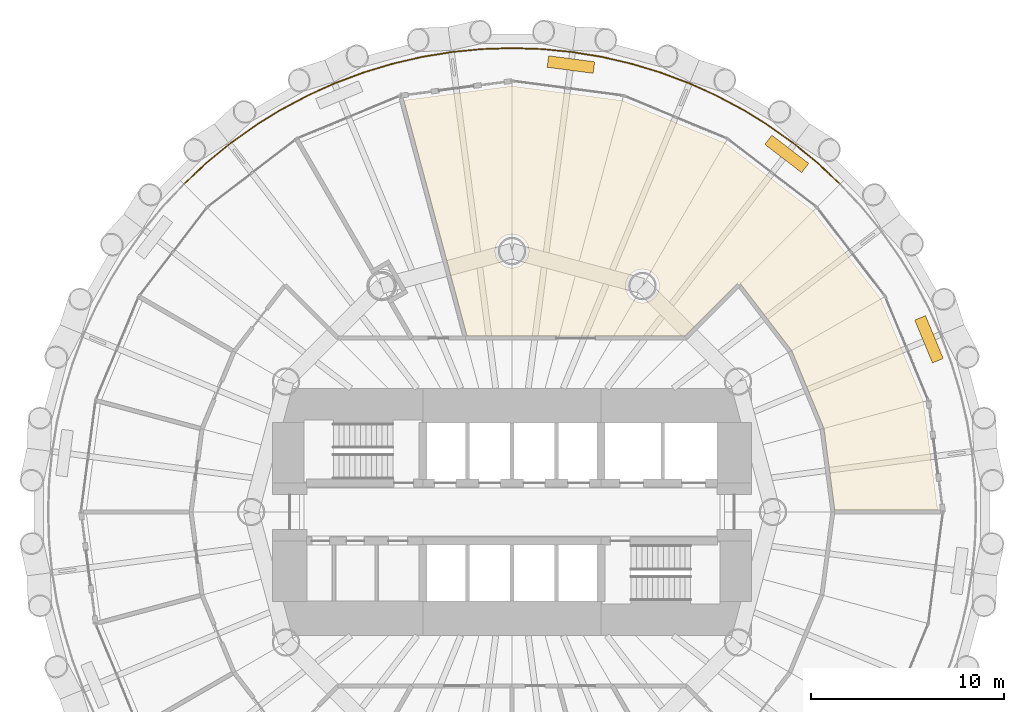
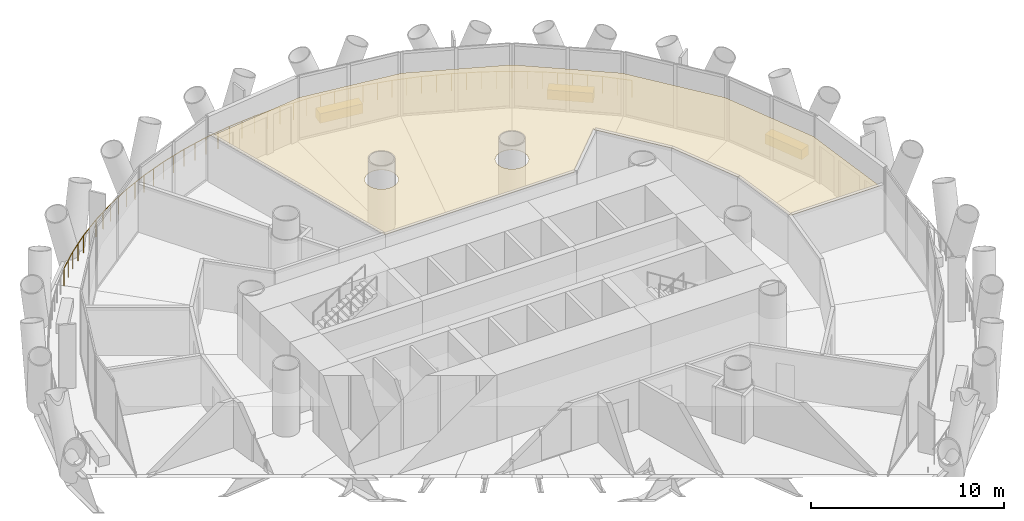
# One storey, part 15 of 15: 4 coverings, 1 railing.
"""IFC4 building model written with IfcOpenShell, lengths in metres."""

from ifc_helpers import new_model, si_unit, direction, frame, origin, origin_2d, place, context, subcontext, project, spatial, polyline, rectangle, circle, outline, extrude, material, layer, layer_set, type_object, element, save


model = new_model("IFC4")

# Units and contexts
model_context = context("Model", 3, precision=1e-05, world=origin(), true_north=direction((0.0, 1.0)))
body_context = subcontext(model_context, "Body", "Model", "MODEL_VIEW")
ifc_project = project(units=[si_unit("LENGTHUNIT", "METRE"), si_unit("AREAUNIT", "SQUARE_METRE"), si_unit("VOLUMEUNIT", "CUBIC_METRE"), si_unit("PLANEANGLEUNIT", "RADIAN"), si_unit("MASSUNIT", "GRAM", prefix="KILO")], contexts=[model_context])

# Site, building, storey
site_placement = place(None, origin())
site = spatial("IfcSite", under=ifc_project, at=site_placement, CompositionType="ELEMENT")
building_placement = place(site_placement, origin())
building = spatial("IfcBuilding", under=site, at=building_placement, Name="Qaws Media Tower", CompositionType="ELEMENT")
storey_placement = place(building_placement, frame((0.0, 0.0, 51.199951171875)))
storey = spatial("IfcBuildingStorey", under=building, at=storey_placement, Name="L10", CompositionType="ELEMENT", Elevation=51.199951171875)

# Railing
ifc_material_1 = material(Name="Stainless steel and glass guard", Category="steel")
railing_type = type_object("IfcRailingType", Name="Balcony guard 1100", PredefinedType="GUARDRAIL", material=ifc_material_1)
railing_placement = place(storey_placement, frame((76.970458984375, 66.970458984375, 0.0)))
element("IfcRailing", 1, at=railing_placement, inside=storey, type_object=railing_type, Name="GR1 balcony guard L10-1", PredefinedType="GUARDRAIL", context=body_context, shape_type="SweptSolid", body=[
    extrude(circle(Radius=0.02392578125, at=origin_2d()), frame((0.0, 0.0, 1.076171875), z_axis=(-0.729813455053, 0.683646341922, 0.0), x_axis=(-0.683646341922, -0.729813455053, 0.0)), (0.0, 0.0, 1.0), 1.570556640625),
    extrude(circle(Radius=0.02392578125, at=origin_2d()), frame((-1.146240234375, 1.07373046875, 1.076171875), z_axis=(-0.77296584809, 0.63444763195, 0.0), x_axis=(-0.63444763195, -0.77296584809, 0.0)), (0.0, 0.0, 1.0), 1.5703125),
    extrude(circle(Radius=0.02392578125, at=origin_2d()), frame((-2.360107421875, 2.070068359375, 1.076171875), z_axis=(-0.812850247555, 0.582472724726, 0.0), x_axis=(-0.582472724726, -0.812850247555, 0.0)), (0.0, 0.0, 1.0), 1.570556640625),
    extrude(circle(Radius=0.02392578125, at=origin_2d()), frame((-3.63671875, 2.98486328125, 1.076171875), z_axis=(-0.849209967984, 0.528055328802, 0.0), x_axis=(-0.528055328802, -0.849209967984, 0.0)), (0.0, 0.0, 1.0), 1.570556640625),
    extrude(circle(Radius=0.02392578125, at=origin_2d()), frame((-4.970458984375, 3.814208984375, 1.076171875), z_axis=(-0.881939468642, 0.471362677406, 0.0), x_axis=(-0.471362677406, -0.881939468642, 0.0)), (0.0, 0.0, 1.0), 1.5703125),
    extrude(circle(Radius=0.02392578125, at=origin_2d()), frame((-6.35546875, 4.554443359375, 1.076171875), z_axis=(-0.910871506135, 0.412690076585, 0.0), x_axis=(-0.412690076585, -0.910871506135, 0.0)), (0.0, 0.0, 1.0), 1.570556640625),
    extrude(circle(Radius=0.02392578125, at=origin_2d()), frame((-7.7861328125, 5.20263671875, 1.076171875), z_axis=(-0.935894013159, 0.35228169997, 0.0), x_axis=(-0.35228169997, -0.935894013159, 0.0)), (0.0, 0.0, 1.0), 1.5703125),
    extrude(circle(Radius=0.02392578125, at=origin_2d()), frame((-9.255859375, 5.755859375, 1.076171875), z_axis=(-0.956957701155, 0.290227424961, 0.0), x_axis=(-0.290227424961, -0.956957701155, 0.0)), (0.0, 0.0, 1.0), 1.570556640625),
    extrude(circle(Radius=0.02392578125, at=origin_2d()), frame((-10.7587890625, 6.211669921875, 1.076171875), z_axis=(-0.973869866976, 0.227106763871, 0.0), x_axis=(-0.227106763871, -0.973869866976, 0.0)), (0.0, 0.0, 1.0), 1.570556640625),
    extrude(circle(Radius=0.02392578125, at=origin_2d()), frame((-12.288330078125, 6.568359375, 1.076171875), z_axis=(-0.98664068219, 0.162911522757, 0.0), x_axis=(-0.162911522757, -0.98664068219, 0.0)), (0.0, 0.0, 1.0), 1.570556640625),
    extrude(circle(Radius=0.02392578125, at=origin_2d()), frame((-13.837890625, 6.82421875, 1.076171875), z_axis=(-0.995177778889, 0.098087656745, 0.0), x_axis=(-0.098087656745, -0.995177778889, 0.0)), (0.0, 0.0, 1.0), 1.570556640625),
    extrude(circle(Radius=0.02392578125, at=origin_2d()), frame((-15.40087890625, 6.978271484375, 1.076171875), z_axis=(-0.999466942107, 0.03264707697, 0.0), x_axis=(-0.03264707697, -0.999466942107, 0.0)), (0.0, 0.0, 1.0), 1.5703125),
    extrude(circle(Radius=0.02392578125, at=origin_2d()), frame((-16.970458984375, 7.029541015625, 1.076171875), z_axis=(-0.999466942107, -0.03264707697, 0.0), x_axis=(0.03264707697, -0.999466942107, 0.0)), (0.0, 0.0, 1.0), 1.5703125),
    extrude(circle(Radius=0.02392578125, at=origin_2d()), frame((-18.5400390625, 6.978271484375, 1.076171875), z_axis=(-0.995177778889, -0.098087656745, 0.0), x_axis=(0.098087656745, -0.995177778889, 0.0)), (0.0, 0.0, 1.0), 1.570556640625),
    extrude(circle(Radius=0.02392578125, at=origin_2d()), frame((-20.10302734375, 6.82421875, 1.076171875), z_axis=(-0.98664068219, -0.162911522757, 0.0), x_axis=(0.162911522757, -0.98664068219, 0.0)), (0.0, 0.0, 1.0), 1.570556640625),
    extrude(circle(Radius=0.02392578125, at=origin_2d()), frame((-21.652587890625, 6.568359375, 1.076171875), z_axis=(-0.973869866976, -0.227106763871, 0.0), x_axis=(0.227106763871, -0.973869866976, 0.0)), (0.0, 0.0, 1.0), 1.570556640625),
    extrude(circle(Radius=0.02392578125, at=origin_2d()), frame((-23.18212890625, 6.211669921875, 1.076171875), z_axis=(-0.956957701155, -0.290227424961, 0.0), x_axis=(0.290227424961, -0.956957701155, 0.0)), (0.0, 0.0, 1.0), 1.570556640625),
    extrude(circle(Radius=0.02392578125, at=origin_2d()), frame((-24.68505859375, 5.755859375, 1.076171875), z_axis=(-0.935894013159, -0.35228169997, 0.0), x_axis=(0.35228169997, -0.935894013159, 0.0)), (0.0, 0.0, 1.0), 1.5703125),
    extrude(circle(Radius=0.02392578125, at=origin_2d()), frame((-26.15478515625, 5.20263671875, 1.076171875), z_axis=(-0.910871506135, -0.412690076585, 0.0), x_axis=(0.412690076585, -0.910871506135, 0.0)), (0.0, 0.0, 1.0), 1.570556640625),
    extrude(circle(Radius=0.02392578125, at=origin_2d()), frame((-27.58544921875, 4.554443359375, 1.076171875), z_axis=(-0.881939468642, -0.471362677406, 0.0), x_axis=(0.471362677406, -0.881939468642, 0.0)), (0.0, 0.0, 1.0), 1.5703125),
    extrude(circle(Radius=0.02392578125, at=origin_2d()), frame((-28.970458984375, 3.814208984375, 1.076171875), z_axis=(-0.849209967984, -0.528055328802, 0.0), x_axis=(0.528055328802, -0.849209967984, 0.0)), (0.0, 0.0, 1.0), 1.570556640625),
    extrude(circle(Radius=0.02392578125, at=origin_2d()), frame((-30.30419921875, 2.98486328125, 1.076171875), z_axis=(-0.812850247555, -0.582472724726, 0.0), x_axis=(0.582472724726, -0.812850247555, 0.0)), (0.0, 0.0, 1.0), 1.570556640625),
    extrude(circle(Radius=0.02392578125, at=origin_2d()), frame((-31.580810546875, 2.070068359375, 1.076171875), z_axis=(-0.77296584809, -0.63444763195, 0.0), x_axis=(0.63444763195, -0.77296584809, 0.0)), (0.0, 0.0, 1.0), 1.5703125),
    extrude(circle(Radius=0.02392578125, at=origin_2d()), frame((-32.794677734375, 1.07373046875, 1.076171875), z_axis=(-0.729813455053, -0.683646341922, 0.0), x_axis=(0.683646341922, -0.729813455053, 0.0)), (0.0, 0.0, 1.0), 1.570556640625),
    extrude(circle(Radius=0.02099609375, at=origin_2d()), origin(), (0.0, 0.0, 1.0), 1.052001953125),
    extrude(circle(Radius=0.02099609375, at=origin_2d()), frame((-0.5732421875, 0.536865234375, 0.0)), (0.0, 0.0, 1.0), 1.052001953125),
    extrude(circle(Radius=0.02099609375, at=origin_2d()), frame((-1.146240234375, 1.07373046875, 0.0)), (0.0, 0.0, 1.0), 1.052001953125),
    extrude(circle(Radius=0.02099609375, at=origin_2d()), frame((-1.753173828125, 1.57177734375, 0.0)), (0.0, 0.0, 1.0), 1.052001953125),
    extrude(circle(Radius=0.02099609375, at=origin_2d()), frame((-2.360107421875, 2.070068359375, 0.0)), (0.0, 0.0, 1.0), 1.052001953125),
    extrude(circle(Radius=0.02099609375, at=origin_2d()), frame((-2.99853515625, 2.52734375, 0.0)), (0.0, 0.0, 1.0), 1.052001953125),
    extrude(circle(Radius=0.02099609375, at=origin_2d()), frame((-3.63671875, 2.98486328125, 0.0)), (0.0, 0.0, 1.0), 1.052001953125),
    extrude(circle(Radius=0.02099609375, at=origin_2d()), frame((-4.3037109375, 3.3994140625, 0.0)), (0.0, 0.0, 1.0), 1.052001953125),
    extrude(circle(Radius=0.02099609375, at=origin_2d()), frame((-4.970458984375, 3.814208984375, 0.0)), (0.0, 0.0, 1.0), 1.052001953125),
    extrude(circle(Radius=0.02099609375, at=origin_2d()), frame((-5.6630859375, 4.184326171875, 0.0)), (0.0, 0.0, 1.0), 1.052001953125),
    extrude(circle(Radius=0.02099609375, at=origin_2d()), frame((-6.35546875, 4.554443359375, 0.0)), (0.0, 0.0, 1.0), 1.052001953125),
    extrude(circle(Radius=0.02099609375, at=origin_2d()), frame((-7.07080078125, 4.87841796875, 0.0)), (0.0, 0.0, 1.0), 1.052001953125),
    extrude(circle(Radius=0.02099609375, at=origin_2d()), frame((-7.7861328125, 5.20263671875, 0.0)), (0.0, 0.0, 1.0), 1.052001953125),
    extrude(circle(Radius=0.02099609375, at=origin_2d()), frame((-8.52099609375, 5.479248046875, 0.0)), (0.0, 0.0, 1.0), 1.052001953125),
    extrude(circle(Radius=0.02099609375, at=origin_2d()), frame((-9.255859375, 5.755859375, 0.0)), (0.0, 0.0, 1.0), 1.052001953125),
    extrude(circle(Radius=0.02099609375, at=origin_2d()), frame((-10.00732421875, 5.98388671875, 0.0)), (0.0, 0.0, 1.0), 1.052001953125),
    extrude(circle(Radius=0.02099609375, at=origin_2d()), frame((-10.7587890625, 6.211669921875, 0.0)), (0.0, 0.0, 1.0), 1.052001953125),
    extrude(circle(Radius=0.02099609375, at=origin_2d()), frame((-11.5234375, 6.39013671875, 0.0)), (0.0, 0.0, 1.0), 1.052001953125),
    extrude(circle(Radius=0.02099609375, at=origin_2d()), frame((-12.288330078125, 6.568359375, 0.0)), (0.0, 0.0, 1.0), 1.052001953125),
    extrude(circle(Radius=0.02099609375, at=origin_2d()), frame((-13.06298828125, 6.6962890625, 0.0)), (0.0, 0.0, 1.0), 1.052001953125),
    extrude(circle(Radius=0.02099609375, at=origin_2d()), frame((-13.837890625, 6.82421875, 0.0)), (0.0, 0.0, 1.0), 1.052001953125),
    extrude(circle(Radius=0.02099609375, at=origin_2d()), frame((-14.619384765625, 6.9013671875, 0.0)), (0.0, 0.0, 1.0), 1.052001953125),
    extrude(circle(Radius=0.02099609375, at=origin_2d()), frame((-15.40087890625, 6.978271484375, 0.0)), (0.0, 0.0, 1.0), 1.052001953125),
    extrude(circle(Radius=0.02099609375, at=origin_2d()), frame((-16.185546875, 7.00390625, 0.0)), (0.0, 0.0, 1.0), 1.052001953125),
    extrude(circle(Radius=0.02099609375, at=origin_2d()), frame((-16.970458984375, 7.029541015625, 0.0)), (0.0, 0.0, 1.0), 1.052001953125),
    extrude(circle(Radius=0.02099609375, at=origin_2d()), frame((-17.75537109375, 7.00390625, 0.0)), (0.0, 0.0, 1.0), 1.052001953125),
    extrude(circle(Radius=0.02099609375, at=origin_2d()), frame((-18.5400390625, 6.978271484375, 0.0)), (0.0, 0.0, 1.0), 1.052001953125),
    extrude(circle(Radius=0.02099609375, at=origin_2d()), frame((-19.321533203125, 6.9013671875, 0.0)), (0.0, 0.0, 1.0), 1.052001953125),
    extrude(circle(Radius=0.02099609375, at=origin_2d()), frame((-20.10302734375, 6.82421875, 0.0)), (0.0, 0.0, 1.0), 1.052001953125),
    extrude(circle(Radius=0.02099609375, at=origin_2d()), frame((-20.8779296875, 6.6962890625, 0.0)), (0.0, 0.0, 1.0), 1.052001953125),
    extrude(circle(Radius=0.02099609375, at=origin_2d()), frame((-21.652587890625, 6.568359375, 0.0)), (0.0, 0.0, 1.0), 1.052001953125),
    extrude(circle(Radius=0.02099609375, at=origin_2d()), frame((-22.41748046875, 6.39013671875, 0.0)), (0.0, 0.0, 1.0), 1.052001953125),
    extrude(circle(Radius=0.02099609375, at=origin_2d()), frame((-23.18212890625, 6.211669921875, 0.0)), (0.0, 0.0, 1.0), 1.052001953125),
    extrude(circle(Radius=0.02099609375, at=origin_2d()), frame((-23.93359375, 5.98388671875, 0.0)), (0.0, 0.0, 1.0), 1.052001953125),
    extrude(circle(Radius=0.02099609375, at=origin_2d()), frame((-24.68505859375, 5.755859375, 0.0)), (0.0, 0.0, 1.0), 1.052001953125),
    extrude(circle(Radius=0.02099609375, at=origin_2d()), frame((-25.419921875, 5.479248046875, 0.0)), (0.0, 0.0, 1.0), 1.052001953125),
    extrude(circle(Radius=0.02099609375, at=origin_2d()), frame((-26.15478515625, 5.20263671875, 0.0)), (0.0, 0.0, 1.0), 1.052001953125),
    extrude(circle(Radius=0.02099609375, at=origin_2d()), frame((-26.8701171875, 4.87841796875, 0.0)), (0.0, 0.0, 1.0), 1.052001953125),
    extrude(circle(Radius=0.02099609375, at=origin_2d()), frame((-27.58544921875, 4.554443359375, 0.0)), (0.0, 0.0, 1.0), 1.052001953125),
    extrude(circle(Radius=0.02099609375, at=origin_2d()), frame((-28.27783203125, 4.184326171875, 0.0)), (0.0, 0.0, 1.0), 1.052001953125),
    extrude(circle(Radius=0.02099609375, at=origin_2d()), frame((-28.970458984375, 3.814208984375, 0.0)), (0.0, 0.0, 1.0), 1.052001953125),
    extrude(circle(Radius=0.02099609375, at=origin_2d()), frame((-29.63720703125, 3.3994140625, 0.0)), (0.0, 0.0, 1.0), 1.052001953125),
    extrude(circle(Radius=0.02099609375, at=origin_2d()), frame((-30.30419921875, 2.98486328125, 0.0)), (0.0, 0.0, 1.0), 1.052001953125),
    extrude(circle(Radius=0.02099609375, at=origin_2d()), frame((-30.9423828125, 2.52734375, 0.0)), (0.0, 0.0, 1.0), 1.052001953125),
    extrude(circle(Radius=0.02099609375, at=origin_2d()), frame((-31.580810546875, 2.070068359375, 0.0)), (0.0, 0.0, 1.0), 1.052001953125),
    extrude(circle(Radius=0.02099609375, at=origin_2d()), frame((-32.187744140625, 1.57177734375, 0.0)), (0.0, 0.0, 1.0), 1.052001953125),
    extrude(circle(Radius=0.02099609375, at=origin_2d()), frame((-32.794677734375, 1.07373046875, 0.0)), (0.0, 0.0, 1.0), 1.052001953125),
    extrude(circle(Radius=0.02099609375, at=origin_2d()), frame((-33.36767578125, 0.536865234375, 0.0)), (0.0, 0.0, 1.0), 1.052001953125),
    extrude(circle(Radius=0.02099609375, at=origin_2d()), frame((-33.94091796875, 0.0, 0.0)), (0.0, 0.0, 1.0), 1.052001953125),
])

# Coverings
ifc_material_2 = material(Name="600 x 600 mineral fibre tiles in exposed grid, suspended", Category="mineral fibre")
ifc_layer_1 = layer(ifc_material_2, 0.02001953125)
ifc_layer_set_1 = layer_set([ifc_layer_1], Name="Mineral fibre tile ceiling 20")
covering_type_1 = type_object("IfcCoveringType", Name="Mineral fibre tile ceiling 20", PredefinedType="CEILING", material=ifc_layer_set_1)
covering_placement = place(storey_placement, frame((0.0, 0.0, 2.85009765625)))
element("IfcCovering", 2, at=covering_placement, inside=storey, type_object=covering_type_1, Name="CL1 ceiling L10-02 Production office", PredefinedType="CEILING", context=body_context, shape_type="SweptSolid", body=[
    extrude(outline(polyline([(60.0, 72.03515625), (65.703125, 71.284423828125), (71.017578125, 69.0830078125), (75.581298828125, 65.581298828125), (79.0830078125, 61.017578125), (81.284423828125, 55.703125), (82.0205078125, 50.112548828125), (76.69873046875, 50.112548828125), (76.14404296875, 54.32568359375), (74.474365234375, 58.356689453125), (71.7490234375, 61.908203125), (68.953369140625, 59.112548828125), (57.6748046875, 59.112548828125), (54.409423828125, 71.29931640625), (60.0, 72.03515625)]), holes=[polyline([(60.8046875, 63.166748046875), (60.84130859375, 63.274658203125), (60.863525390625, 63.38623046875), (60.87109375, 63.5), (60.863525390625, 63.61376953125), (60.84130859375, 63.725341796875), (60.8046875, 63.833251953125), (60.75439453125, 63.935546875), (60.69091796875, 64.0302734375), (60.615966796875, 64.115966796875), (60.5302734375, 64.19091796875), (60.435546875, 64.25439453125), (60.333251953125, 64.3046875), (60.225341796875, 64.34130859375), (60.11376953125, 64.363525390625), (60.0, 64.37109375), (59.88623046875, 64.363525390625), (59.774658203125, 64.34130859375), (59.666748046875, 64.3046875), (59.564453125, 64.25439453125), (59.4697265625, 64.19091796875), (59.384033203125, 64.115966796875), (59.30908203125, 64.0302734375), (59.24560546875, 63.935546875), (59.1953125, 63.833251953125), (59.15869140625, 63.725341796875), (59.136474609375, 63.61376953125), (59.12890625, 63.5), (59.136474609375, 63.38623046875), (59.15869140625, 63.274658203125), (59.1953125, 63.166748046875), (59.24560546875, 63.064453125), (59.30908203125, 62.9697265625), (59.384033203125, 62.884033203125), (59.4697265625, 62.80908203125), (59.564453125, 62.74560546875), (59.666748046875, 62.6953125), (59.774658203125, 62.65869140625), (59.88623046875, 62.636474609375), (60.0, 62.62890625), (60.11376953125, 62.636474609375), (60.225341796875, 62.65869140625), (60.333251953125, 62.6953125), (60.435546875, 62.74560546875), (60.5302734375, 62.80908203125), (60.615966796875, 62.884033203125), (60.69091796875, 62.9697265625), (60.75439453125, 63.064453125), (60.8046875, 63.166748046875)]), polyline([(67.5546875, 61.35791015625), (67.59130859375, 61.4658203125), (67.613525390625, 61.57763671875), (67.62109375, 61.69140625), (67.613525390625, 61.804931640625), (67.59130859375, 61.916748046875), (67.5546875, 62.024658203125), (67.50439453125, 62.126708984375), (67.44091796875, 62.2216796875), (67.365966796875, 62.30712890625), (67.2802734375, 62.38232421875), (67.185546875, 62.44580078125), (67.083251953125, 62.49609375), (66.975341796875, 62.53271484375), (66.86376953125, 62.554931640625), (66.75, 62.562255859375), (66.63623046875, 62.554931640625), (66.524658203125, 62.53271484375), (66.416748046875, 62.49609375), (66.314453125, 62.44580078125), (66.2197265625, 62.38232421875), (66.134033203125, 62.30712890625), (66.05908203125, 62.2216796875), (65.99560546875, 62.126708984375), (65.9453125, 62.024658203125), (65.90869140625, 61.916748046875), (65.886474609375, 61.804931640625), (65.87890625, 61.69140625), (65.886474609375, 61.57763671875), (65.90869140625, 61.4658203125), (65.9453125, 61.35791015625), (65.99560546875, 61.255859375), (66.05908203125, 61.1611328125), (66.134033203125, 61.075439453125), (66.2197265625, 61.000244140625), (66.314453125, 60.93701171875), (66.416748046875, 60.88671875), (66.524658203125, 60.85009765625), (66.63623046875, 60.827880859375), (66.75, 60.8203125), (66.86376953125, 60.827880859375), (66.975341796875, 60.85009765625), (67.083251953125, 60.88671875), (67.185546875, 60.93701171875), (67.2802734375, 61.000244140625), (67.365966796875, 61.075439453125), (67.44091796875, 61.1611328125), (67.50439453125, 61.255859375), (67.5546875, 61.35791015625)])]), origin(), (0.0, 0.0, 1.0), 0.02001953125),
])
ifc_material_3 = material(Name="Precast concrete planter with trailing planting", Category="concrete")
ifc_layer_2 = layer(ifc_material_3, 0.60009765625)
ifc_layer_set_2 = layer_set([ifc_layer_2], Name="Planter 2400x600")
covering_type_2 = type_object("IfcCoveringType", Name="Planter 2400x600", PredefinedType="USERDEFINED", material=ifc_layer_set_2)
for number, where, z_axis, x_axis, name in (
    (3, (81.572509765625, 58.935546875, 0.0), (0.0, 0.0, 1.0), (-0.382683432365, 0.923879532511, 0.0), "PL1 balcony planter L10-01"),
    (4, (74.214599609375, 68.52490234375, 0.0), (0.0, 0.0, 1.0), (-0.793353340291, 0.608761429009, 0.0), "PL1 balcony planter L10-02"),
    (5, (63.0478515625, 73.150146484375, 0.0), (0.0, 0.0, 1.0), (-0.991444861374, 0.13052619222, 0.0), "PL1 balcony planter L10-03"),
):
    element("IfcCovering", number, at=place(storey_placement, frame(where, z_axis=z_axis, x_axis=x_axis)), inside=storey, type_object=covering_type_2, Name=name, ObjectType="PLANTER", PredefinedType="USERDEFINED", context=body_context, shape_type="SweptSolid", body=[
        extrude(rectangle(XDim=2.39990234375, YDim=0.60009765625, at=origin_2d()), origin(), (0.0, 0.0, 1.0), 0.60009765625),
    ])

save(model, "model.ifc")
